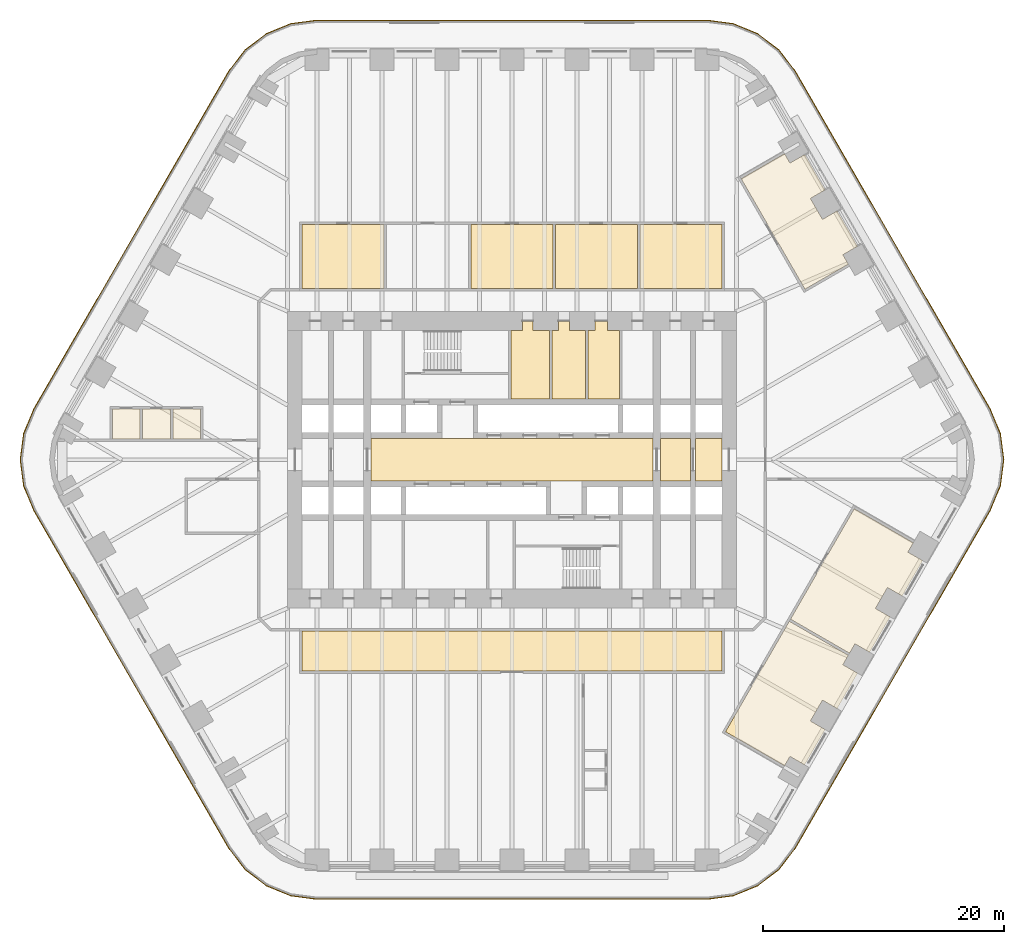
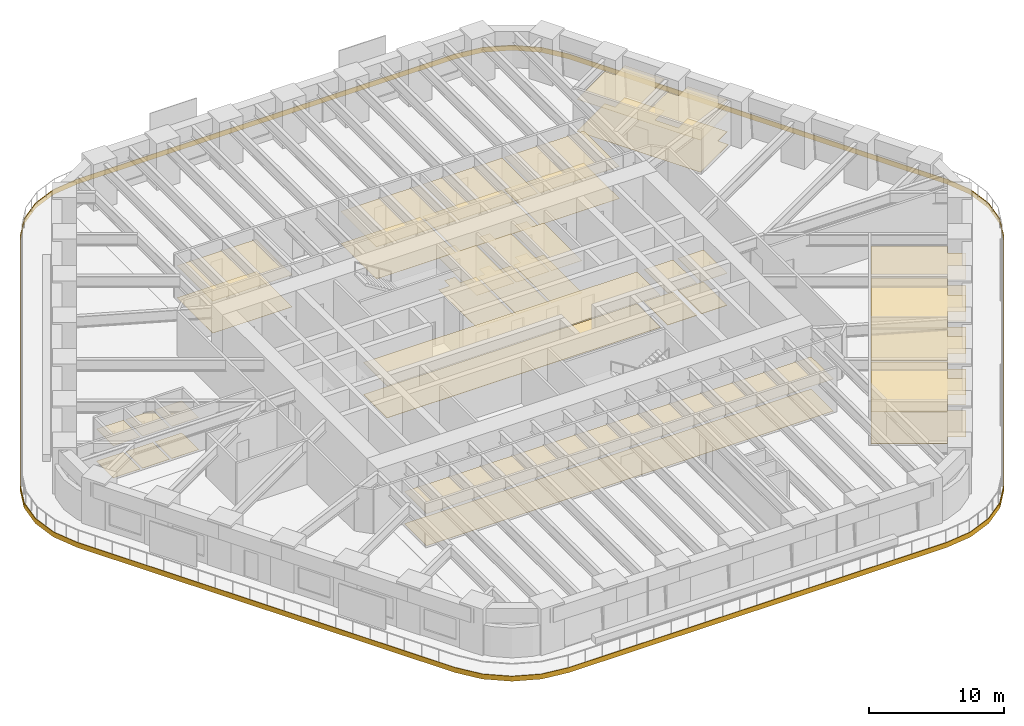
# One storey, part 22 of 23: 15 coverings.
"""IFC4 building model written with IfcOpenShell, lengths in metres."""

import ifcopenshell
import ifcopenshell.guid

model = None  # the IFC model being written
_history = None  # IfcOwnerHistory: only IFC2X3 demands one
_inside = {}  # id of a spatial element -> (the spatial element, [elements in it])
_under = {}  # id of a project, library or spatial element -> (it, [spatial elements below it])
_declared = {}  # id of a project -> (the project, [libraries it declares])
_typed = {}  # id of a type object -> (the type object, [elements of that type])
_made_of = {}  # id of a material, layer set ... -> (it, [elements and type objects made of it])


def new_model(schema):
    """Start an empty IFC model of exactly this schema.

    Asked for "IFC4X3", IfcOpenShell would pick the latest addendum, in which some entities
    have other attributes; the version numbers below select the first issue.
    IFC2X3 requires an IfcOwnerHistory on every rooted entity: one is made here for all.
    """
    global model, _history
    if schema == "IFC4X3":
        model = ifcopenshell.file(schema_version=(4, 3, 0, 0))
    else:
        model = ifcopenshell.file(schema=schema)
    _inside.clear()
    _under.clear()
    _declared.clear()
    _typed.clear()
    _made_of.clear()
    _history = None
    if model.schema == "IFC2X3":
        org = make("IfcOrganization", Name="unknown")
        user = make(
            "IfcPersonAndOrganization",
            ThePerson=make("IfcPerson", FamilyName="unknown"),
            TheOrganization=org,
        )
        app = make(
            "IfcApplication",
            ApplicationDeveloper=org,
            Version="unknown",
            ApplicationFullName="unknown",
            ApplicationIdentifier="unknown",
        )
        _history = make(
            "IfcOwnerHistory",
            OwningUser=user,
            OwningApplication=app,
            ChangeAction="ADDED",
            CreationDate=0,
        )
    return model


def make(cls, **values):
    """One entity of the class cls with the attributes given. An attribute that is None is left unset."""
    return model.create_entity(
        cls, **{name: value for name, value in values.items() if value is not None}
    )


def rooted(cls, **values):
    """An entity with a GlobalId (a new one), such as an element, a storey or a relation."""
    return make(cls, GlobalId=ifcopenshell.guid.new(), OwnerHistory=_history, **values)


def si_unit(unit_type, name, prefix=None):
    """IfcSIUnit, for example si_unit("LENGTHUNIT", "METRE", prefix="MILLI")."""
    return make("IfcSIUnit", UnitType=unit_type, Prefix=prefix, Name=name)


def assignment(units):
    """IfcUnitAssignment: the units of a project."""
    return None if units is None else make("IfcUnitAssignment", Units=units)


def point(xyz):
    """IfcCartesianPoint."""
    return None if xyz is None else make("IfcCartesianPoint", Coordinates=xyz)


def direction(xyz):
    """IfcDirection."""
    return None if xyz is None else make("IfcDirection", DirectionRatios=xyz)


def frame(location, z_axis=None, x_axis=None):
    """IfcAxis2Placement3D, a coordinate frame: its origin and axes. An axis left out is left unset."""
    return make(
        "IfcAxis2Placement3D",
        Location=point(location),
        Axis=direction(z_axis),
        RefDirection=direction(x_axis),
    )


def origin():
    """The frame at (0, 0, 0) with its axes left unset."""
    return frame((0.0, 0.0, 0.0))


def place(relative_to, where):
    """IfcLocalPlacement: puts the frame where relative to a parent placement (None: the world)."""
    return make(
        "IfcLocalPlacement", PlacementRelTo=relative_to, RelativePlacement=where
    )


def context(
    kind, dimensions, precision=None, world=None, true_north=None, identifier=None
):
    """IfcGeometricRepresentationContext, for example the 3D "Model" context."""
    return make(
        "IfcGeometricRepresentationContext",
        ContextIdentifier=identifier,
        ContextType=kind,
        CoordinateSpaceDimension=dimensions,
        Precision=precision,
        WorldCoordinateSystem=world,
        TrueNorth=true_north,
    )


def subcontext(parent, identifier, kind, view, scale=None):
    """IfcGeometricRepresentationSubContext, for example "Body" below "Model"."""
    return make(
        "IfcGeometricRepresentationSubContext",
        ContextIdentifier=identifier,
        ContextType=kind,
        ParentContext=parent,
        TargetScale=scale,
        TargetView=view,
    )


def project(units=None, contexts=None):
    """IfcProject with its units and contexts."""
    return rooted(
        "IfcProject",
        Name="project",
        RepresentationContexts=contexts,
        UnitsInContext=assignment(units),
    )


def spatial(cls, under=None, at=None, **own):
    """A site, building, storey or space (cls), placed at a placement, below another one or the project."""
    s = rooted(cls, ObjectPlacement=at, **own)
    if under is not None:
        _under.setdefault(under.id(), (under, []))[1].append(s)
    return s


def polyline(points):
    """IfcPolyline through the points."""
    return make("IfcPolyline", Points=[point(p) for p in points])


def outline(outer, holes=None, kind="AREA"):
    """IfcArbitraryClosedProfileDef: a profile drawn as a closed curve; with holes, ...WithVoids."""
    if holes is None:
        return make("IfcArbitraryClosedProfileDef", ProfileType=kind, OuterCurve=outer)
    return make(
        "IfcArbitraryProfileDefWithVoids",
        ProfileType=kind,
        OuterCurve=outer,
        InnerCurves=holes,
    )


def extrude(swept, where, along, depth):
    """IfcExtrudedAreaSolid: the profile swept, set in the frame where, extruded along a direction by depth."""
    return make(
        "IfcExtrudedAreaSolid",
        SweptArea=swept,
        Position=where,
        ExtrudedDirection=direction(along),
        Depth=depth,
    )


def shape(context_of_items, identifier, shape_type, items):
    """IfcShapeRepresentation: the items that make up one representation, for example the "Body"."""
    return make(
        "IfcShapeRepresentation",
        ContextOfItems=context_of_items,
        RepresentationIdentifier=identifier,
        RepresentationType=shape_type,
        Items=items,
    )


def material(Name=None, Category=None):
    """IfcMaterial."""
    return make("IfcMaterial", Name=Name, Category=Category)


def layer(
    of_material, thickness, ventilated=None, Name=None, Category=None, Priority=None
):
    """IfcMaterialLayer: one layer of a wall or slab, of a material (None: an air gap)."""
    return make(
        "IfcMaterialLayer",
        Material=of_material,
        LayerThickness=thickness,
        IsVentilated=ventilated,
        Name=Name,
        Category=Category,
        Priority=Priority,
    )


def layer_set(layers, Name=None):
    """IfcMaterialLayerSet."""
    return make("IfcMaterialLayerSet", MaterialLayers=layers, LayerSetName=Name)


def made_of(thing, what):
    """Note that an element or type object is made of a material, layer set ...; save() writes the relation."""
    if what is not None:
        _made_of.setdefault(what.id(), (what, []))[1].append(thing)
    return thing


def type_object(cls, material=None, **own):
    """A type object (cls), such as IfcWallType, which elements share."""
    return made_of(rooted(cls, **own), material)


def element(
    cls,
    number,
    at=None,
    inside=None,
    cuts=None,
    type_object=None,
    material=None,
    context=None,
    identifier="Body",
    shape_type=None,
    held_by="IfcProductDefinitionShape",
    body=None,
    shapes=None,
    **own,
):
    """One element of the class cls, such as IfcWall. Its Tag is "e" and its number.

    at: its placement. inside: the storey or other place that contains it. cuts: it is an
    opening in that element (IfcRelVoidsElement). A single representation is given by context,
    identifier, shape_type and body (its items); several are given by shapes. held_by: the class
    of the entity that holds the representations. save() writes the other relations.
    """
    e = rooted(cls, Tag="e%d" % number, ObjectPlacement=at, **own)
    if body is not None:
        shapes = [shape(context, identifier, shape_type, body)]
    if shapes is not None:
        e.Representation = make(held_by, Representations=shapes)
    if inside is not None:
        _inside.setdefault(inside.id(), (inside, []))[1].append(e)
    if cuts is not None:
        rooted(
            "IfcRelVoidsElement", RelatingBuildingElement=cuts, RelatedOpeningElement=e
        )
    if type_object is not None:
        _typed.setdefault(type_object.id(), (type_object, []))[1].append(e)
    return made_of(e, material)


def aggregate(whole, parts):
    """IfcRelAggregates: a whole, such as a stair, and the parts it consists of."""
    return rooted("IfcRelAggregates", RelatingObject=whole, RelatedObjects=parts)


def save(model, path):
    """Write the relations noted so far, then the file.

    IfcRelAggregates (storeys below a building ...), IfcRelContainedInSpatialStructure (elements
    in a storey), IfcRelDefinesByType, IfcRelAssociatesMaterial and IfcRelDeclares: one each for
    every whole, place, type object, material and project.
    """
    for whole, parts in _under.values():
        aggregate(whole, parts)
    for where, things in _inside.values():
        rooted(
            "IfcRelContainedInSpatialStructure",
            RelatedElements=things,
            RelatingStructure=where,
        )
    for kind, things in _typed.values():
        rooted("IfcRelDefinesByType", RelatedObjects=things, RelatingType=kind)
    for what, things in _made_of.values():
        rooted("IfcRelAssociatesMaterial", RelatedObjects=things, RelatingMaterial=what)
    for by, libraries in _declared.values():
        rooted("IfcRelDeclares", RelatingContext=by, RelatedDefinitions=libraries)
    model.write(path)


model = new_model("IFC4")

# Units and contexts
model_context = context("Model", 3, precision=1e-05, world=origin(), true_north=direction((0.0, 1.0)))
body_context = subcontext(model_context, "Body", "Model", "MODEL_VIEW")
ifc_project = project(units=[si_unit("LENGTHUNIT", "METRE"), si_unit("AREAUNIT", "SQUARE_METRE"), si_unit("VOLUMEUNIT", "CUBIC_METRE"), si_unit("PLANEANGLEUNIT", "RADIAN"), si_unit("MASSUNIT", "GRAM", prefix="KILO")], contexts=[model_context])

# Site, building, storey
site_placement = place(None, origin())
site = spatial("IfcSite", under=ifc_project, at=site_placement, CompositionType="ELEMENT")
building_placement = place(site_placement, origin())
building = spatial("IfcBuilding", under=site, at=building_placement, Name="Tarfa Lantern Tower", CompositionType="ELEMENT")
storey_placement = place(building_placement, frame((0.0, 0.0, 57.10009765625)))
storey = spatial("IfcBuildingStorey", under=building, at=storey_placement, Name="L12", CompositionType="ELEMENT", Elevation=57.10009765625)

# Coverings
ifc_material_1 = material(Name="Mineral fibre acoustic tile on suspension grid", Category="finish")
ifc_layer_1 = layer(ifc_material_1, 0.02001953125)
ifc_layer_set_1 = layer_set([ifc_layer_1], Name="CL1 ACOUSTIC TILE CEILING 20")
covering_type_1 = type_object("IfcCoveringType", Name="CL1 ACOUSTIC TILE CEILING 20", PredefinedType="CEILING", material=ifc_layer_set_1)
covering_1_placement = place(storey_placement, frame((0.0, 0.0, 2.89990234375)))
element("IfcCovering", 1, at=covering_1_placement, inside=storey, type_object=covering_type_1, Name="Ceiling L12 CL1", PredefinedType="CEILING", context=body_context, shape_type="SweptSolid", body=[
    extrude(outline(polyline([(-17.39990234375, 19.5), (-10.60009765625, 19.5), (-10.60009765625, 14.199951171875), (-17.39990234375, 14.199951171875), (-17.39990234375, 19.5)])), origin(), (0.0, 0.0, 1.0), 0.02001953125),
    extrude(outline(polyline([(-3.39990234375, 19.5), (3.39990234375, 19.5), (3.39990234375, 14.199951171875), (-3.39990234375, 14.199951171875), (-3.39990234375, 19.5)])), origin(), (0.0, 0.0, 1.0), 0.02001953125),
    extrude(outline(polyline([(3.60009765625, 19.5), (10.39990234375, 19.5), (10.39990234375, 14.199951171875), (3.60009765625, 14.199951171875), (3.60009765625, 19.5)])), origin(), (0.0, 0.0, 1.0), 0.02001953125),
    extrude(outline(polyline([(10.60009765625, 19.5), (17.39990234375, 19.5), (17.39990234375, 14.199951171875), (10.60009765625, 14.199951171875), (10.60009765625, 19.5)])), origin(), (0.0, 0.0, 1.0), 0.02001953125),
    extrude(outline(polyline([(18.996826171875, 23.296630859375), (22.5908203125, 25.371826171875), (23.040771484375, 24.59228515625), (24.253173828125, 25.292236328125), (25.947509765625, 22.357666015625), (24.735107421875, 21.65771484375), (25.735107421875, 19.925537109375), (26.947509765625, 20.625732421875), (28.641845703125, 17.69091796875), (27.42919921875, 16.990966796875), (27.87939453125, 16.211669921875), (24.285400390625, 14.13671875), (18.996826171875, 23.296630859375)])), origin(), (0.0, 0.0, 1.0), 0.02001953125),
    extrude(outline(polyline([(22.986328125, -13.38671875), (27.87939453125, -16.211669921875), (27.42919921875, -16.990966796875), (28.641845703125, -17.69091796875), (26.947509765625, -20.625732421875), (25.735107421875, -19.925537109375), (24.735107421875, -21.65771484375), (25.947509765625, -22.357666015625), (24.253173828125, -25.292236328125), (23.040771484375, -24.59228515625), (22.5908203125, -25.371826171875), (17.69775390625, -22.546630859375), (22.986328125, -13.38671875)])), origin(), (0.0, 0.0, 1.0), 0.02001953125),
    extrude(outline(polyline([(28.375, -4.05322265625), (33.267822265625, -6.878173828125), (32.81787109375, -7.65771484375), (34.0302734375, -8.357666015625), (32.3359375, -11.292236328125), (31.12353515625, -10.59228515625), (30.12353515625, -12.324462890625), (31.3359375, -13.0244140625), (29.641845703125, -15.958984375), (28.42919921875, -15.259033203125), (27.979248046875, -16.038330078125), (23.086181640625, -13.21337890625), (28.375, -4.05322265625)])), origin(), (0.0, 0.0, 1.0), 0.02001953125),
    extrude(outline(polyline([(-28.118408203125, 4.199951171875), (-25.818359375, 4.199951171875), (-25.818359375, 1.699951171875), (-28.118408203125, 1.699951171875), (-28.118408203125, 4.199951171875)])), origin(), (0.0, 0.0, 1.0), 0.02001953125),
    extrude(outline(polyline([(-30.618408203125, 4.199951171875), (-28.318359375, 4.199951171875), (-28.318359375, 1.699951171875), (-30.618408203125, 1.699951171875), (-30.618408203125, 4.199951171875)])), origin(), (0.0, 0.0, 1.0), 0.02001953125),
    extrude(outline(polyline([(-33.118408203125, 4.199951171875), (-30.818359375, 4.199951171875), (-30.818359375, 1.699951171875), (-33.118408203125, 1.699951171875), (-33.118408203125, 4.199951171875)])), origin(), (0.0, 0.0, 1.0), 0.02001953125),
    extrude(outline(polyline([(-17.39990234375, -14.199951171875), (17.39990234375, -14.199951171875), (17.39990234375, -17.5), (-17.39990234375, -17.5), (-17.39990234375, -14.199951171875)])), origin(), (0.0, 0.0, 1.0), 0.02001953125),
])
ifc_material_2 = material(Name="Moisture-resistant plasterboard", Category="finish")
ifc_layer_2 = layer(ifc_material_2, 0.014892578125)
ifc_layer_set_2 = layer_set([ifc_layer_2], Name="CL2 MOISTURE-RESISTANT PLASTERBOARD CEILING 15")
covering_type_2 = type_object("IfcCoveringType", Name="CL2 MOISTURE-RESISTANT PLASTERBOARD CEILING 15", PredefinedType="CEILING", material=ifc_layer_set_2)
covering_2_placement = place(storey_placement, frame((0.0, 0.0, 2.89990234375)))
element("IfcCovering", 2, at=covering_2_placement, inside=storey, type_object=covering_type_2, Name="Ceiling L12-09", PredefinedType="CEILING", context=body_context, shape_type="SweptSolid", body=[
    extrude(outline(polyline([(0.85009765625, 10.699951171875), (-0.10009765625, 10.699951171875), (-0.10009765625, 5.050048828125), (3.10009765625, 5.050048828125), (3.10009765625, 10.699951171875), (1.75, 10.699951171875), (1.75, 11.5), (0.85009765625, 11.5), (0.85009765625, 10.699951171875)])), origin(), (0.0, 0.0, 1.0), 0.014892578125),
])
covering_3_placement = place(storey_placement, frame((0.0, 0.0, 2.89990234375)))
element("IfcCovering", 3, at=covering_3_placement, inside=storey, type_object=covering_type_2, Name="Ceiling L12-10", PredefinedType="CEILING", context=body_context, shape_type="SweptSolid", body=[
    extrude(outline(polyline([(3.300048828125, 5.050048828125), (6.10009765625, 5.050048828125), (6.10009765625, 10.699951171875), (4.75, 10.699951171875), (4.75, 11.5), (3.85009765625, 11.5), (3.85009765625, 10.699951171875), (3.300048828125, 10.699951171875), (3.300048828125, 5.050048828125)])), origin(), (0.0, 0.0, 1.0), 0.014892578125),
])
covering_4_placement = place(storey_placement, frame((0.0, 0.0, 2.89990234375)))
element("IfcCovering", 4, at=covering_4_placement, inside=storey, type_object=covering_type_2, Name="Ceiling L12-11", PredefinedType="CEILING", context=body_context, shape_type="SweptSolid", body=[
    extrude(outline(polyline([(6.300048828125, 5.050048828125), (8.89990234375, 5.050048828125), (8.89990234375, 10.699951171875), (7.89990234375, 10.699951171875), (7.89990234375, 11.5), (6.89990234375, 11.5), (6.89990234375, 10.699951171875), (6.300048828125, 10.699951171875), (6.300048828125, 5.050048828125)])), origin(), (0.0, 0.0, 1.0), 0.014892578125),
])
ifc_material_3 = material(Name="Powder-coated aluminium panel", Category="aluminium")
ifc_layer_3 = layer(ifc_material_3, 0.030029296875)
ifc_layer_set_3 = layer_set([ifc_layer_3], Name="CL3 METAL PANEL CEILING 30")
covering_type_3 = type_object("IfcCoveringType", Name="CL3 METAL PANEL CEILING 30", PredefinedType="CEILING", material=ifc_layer_set_3)
covering_5_placement = place(storey_placement, frame((0.0, 0.0, 2.89990234375)))
element("IfcCovering", 5, at=covering_5_placement, inside=storey, type_object=covering_type_3, Name="Ceiling L12-03", PredefinedType="CEILING", context=body_context, shape_type="SweptSolid", body=[
    extrude(outline(polyline([(-11.699951171875, -1.75), (11.699951171875, -1.75), (11.699951171875, 1.75), (-11.699951171875, 1.75), (-11.699951171875, -1.75)])), origin(), (0.0, 0.0, 1.0), 0.030029296875),
])
covering_6_placement = place(storey_placement, frame((0.0, 0.0, 2.89990234375)))
element("IfcCovering", 6, at=covering_6_placement, inside=storey, type_object=covering_type_3, Name="Ceiling L12-04", PredefinedType="CEILING", context=body_context, shape_type="SweptSolid", body=[
    extrude(outline(polyline([(12.300048828125, -1.75), (14.800048828125, -1.75), (14.800048828125, 1.75), (12.300048828125, 1.75), (12.300048828125, -1.75)])), origin(), (0.0, 0.0, 1.0), 0.030029296875),
])
covering_7_placement = place(storey_placement, frame((0.0, 0.0, 2.89990234375)))
element("IfcCovering", 7, at=covering_7_placement, inside=storey, type_object=covering_type_3, Name="Ceiling L12-05", PredefinedType="CEILING", context=body_context, shape_type="SweptSolid", body=[
    extrude(outline(polyline([(15.199951171875, -1.75), (17.39990234375, -1.75), (17.39990234375, 1.75), (15.199951171875, 1.75), (15.199951171875, -1.75)])), origin(), (0.0, 0.0, 1.0), 0.030029296875),
])
ifc_material_4 = material(Name="Nylon carpet tile", Category="finish")
ifc_layer_4 = layer(ifc_material_4, 0.010009765625)
ifc_layer_set_4 = layer_set([ifc_layer_4], Name="FL1 CARPET TILE 10")
covering_type_4 = type_object("IfcCoveringType", Name="FL1 CARPET TILE 10", PredefinedType="FLOORING", material=ifc_layer_set_4)
covering_8_placement = place(storey_placement, origin())
element("IfcCovering", 8, at=covering_8_placement, inside=storey, type_object=covering_type_4, Name="Floor finish L12 FL1", PredefinedType="FLOORING", context=body_context, shape_type="SweptSolid", body=[
    extrude(outline(polyline([(-17.39990234375, 19.5), (-10.60009765625, 19.5), (-10.60009765625, 14.199951171875), (-17.39990234375, 14.199951171875), (-17.39990234375, 19.5)])), origin(), (0.0, 0.0, 1.0), 0.010009765625),
    extrude(outline(polyline([(-3.39990234375, 19.5), (3.39990234375, 19.5), (3.39990234375, 14.199951171875), (-3.39990234375, 14.199951171875), (-3.39990234375, 19.5)])), origin(), (0.0, 0.0, 1.0), 0.010009765625),
    extrude(outline(polyline([(3.60009765625, 19.5), (10.39990234375, 19.5), (10.39990234375, 14.199951171875), (3.60009765625, 14.199951171875), (3.60009765625, 19.5)])), origin(), (0.0, 0.0, 1.0), 0.010009765625),
    extrude(outline(polyline([(10.60009765625, 19.5), (17.39990234375, 19.5), (17.39990234375, 14.199951171875), (10.60009765625, 14.199951171875), (10.60009765625, 19.5)])), origin(), (0.0, 0.0, 1.0), 0.010009765625),
    extrude(outline(polyline([(18.996826171875, 23.296630859375), (22.5908203125, 25.371826171875), (23.040771484375, 24.59228515625), (24.253173828125, 25.292236328125), (25.947509765625, 22.357666015625), (24.735107421875, 21.65771484375), (25.735107421875, 19.925537109375), (26.947509765625, 20.625732421875), (28.641845703125, 17.69091796875), (27.42919921875, 16.990966796875), (27.87939453125, 16.211669921875), (24.285400390625, 14.13671875), (18.996826171875, 23.296630859375)])), origin(), (0.0, 0.0, 1.0), 0.010009765625),
    extrude(outline(polyline([(22.986328125, -13.38671875), (27.87939453125, -16.211669921875), (27.42919921875, -16.990966796875), (28.641845703125, -17.69091796875), (26.947509765625, -20.625732421875), (25.735107421875, -19.925537109375), (24.735107421875, -21.65771484375), (25.947509765625, -22.357666015625), (24.253173828125, -25.292236328125), (23.040771484375, -24.59228515625), (22.5908203125, -25.371826171875), (17.69775390625, -22.546630859375), (22.986328125, -13.38671875)])), origin(), (0.0, 0.0, 1.0), 0.010009765625),
    extrude(outline(polyline([(28.375, -4.05322265625), (33.267822265625, -6.878173828125), (32.81787109375, -7.65771484375), (34.0302734375, -8.357666015625), (32.3359375, -11.292236328125), (31.12353515625, -10.59228515625), (30.12353515625, -12.324462890625), (31.3359375, -13.0244140625), (29.641845703125, -15.958984375), (28.42919921875, -15.259033203125), (27.979248046875, -16.038330078125), (23.086181640625, -13.21337890625), (28.375, -4.05322265625)])), origin(), (0.0, 0.0, 1.0), 0.010009765625),
    extrude(outline(polyline([(-28.118408203125, 4.199951171875), (-25.818359375, 4.199951171875), (-25.818359375, 1.699951171875), (-28.118408203125, 1.699951171875), (-28.118408203125, 4.199951171875)])), origin(), (0.0, 0.0, 1.0), 0.010009765625),
    extrude(outline(polyline([(-30.618408203125, 4.199951171875), (-28.318359375, 4.199951171875), (-28.318359375, 1.699951171875), (-30.618408203125, 1.699951171875), (-30.618408203125, 4.199951171875)])), origin(), (0.0, 0.0, 1.0), 0.010009765625),
    extrude(outline(polyline([(-33.118408203125, 4.199951171875), (-30.818359375, 4.199951171875), (-30.818359375, 1.699951171875), (-33.118408203125, 1.699951171875), (-33.118408203125, 4.199951171875)])), origin(), (0.0, 0.0, 1.0), 0.010009765625),
    extrude(outline(polyline([(-17.39990234375, -14.199951171875), (17.39990234375, -14.199951171875), (17.39990234375, -17.5), (-17.39990234375, -17.5), (-17.39990234375, -14.199951171875)])), origin(), (0.0, 0.0, 1.0), 0.010009765625),
])
ifc_material_5 = material(Name="Honed limestone flooring", Category="masonry")
ifc_layer_5 = layer(ifc_material_5, 0.030029296875)
ifc_layer_set_5 = layer_set([ifc_layer_5], Name="FL2 STONE FLOORING 30")
covering_type_5 = type_object("IfcCoveringType", Name="FL2 STONE FLOORING 30", PredefinedType="FLOORING", material=ifc_layer_set_5)
covering_9_placement = place(storey_placement, origin())
element("IfcCovering", 9, at=covering_9_placement, inside=storey, type_object=covering_type_5, Name="Floor finish L12-03", PredefinedType="FLOORING", context=body_context, shape_type="SweptSolid", body=[
    extrude(outline(polyline([(-11.699951171875, -1.75), (11.699951171875, -1.75), (11.699951171875, 1.75), (-11.699951171875, 1.75), (-11.699951171875, -1.75)])), origin(), (0.0, 0.0, 1.0), 0.02978515625),
])
covering_10_placement = place(storey_placement, origin())
element("IfcCovering", 10, at=covering_10_placement, inside=storey, type_object=covering_type_5, Name="Floor finish L12-04", PredefinedType="FLOORING", context=body_context, shape_type="SweptSolid", body=[
    extrude(outline(polyline([(12.300048828125, -1.75), (14.800048828125, -1.75), (14.800048828125, 1.75), (12.300048828125, 1.75), (12.300048828125, -1.75)])), origin(), (0.0, 0.0, 1.0), 0.02978515625),
])
covering_11_placement = place(storey_placement, origin())
element("IfcCovering", 11, at=covering_11_placement, inside=storey, type_object=covering_type_5, Name="Floor finish L12-05", PredefinedType="FLOORING", context=body_context, shape_type="SweptSolid", body=[
    extrude(outline(polyline([(15.199951171875, -1.75), (17.39990234375, -1.75), (17.39990234375, 1.75), (15.199951171875, 1.75), (15.199951171875, -1.75)])), origin(), (0.0, 0.0, 1.0), 0.02978515625),
])
ifc_material_6 = material(Name="Porcelain floor tile", Category="finish")
ifc_layer_6 = layer(ifc_material_6, 0.011962890625)
ifc_layer_set_6 = layer_set([ifc_layer_6], Name="FL3 CERAMIC TILE 12")
covering_type_6 = type_object("IfcCoveringType", Name="FL3 CERAMIC TILE 12", PredefinedType="FLOORING", material=ifc_layer_set_6)
covering_12_placement = place(storey_placement, origin())
element("IfcCovering", 12, at=covering_12_placement, inside=storey, type_object=covering_type_6, Name="Floor finish L12-09", PredefinedType="FLOORING", context=body_context, shape_type="SweptSolid", body=[
    extrude(outline(polyline([(0.85009765625, 10.699951171875), (-0.10009765625, 10.699951171875), (-0.10009765625, 5.050048828125), (3.10009765625, 5.050048828125), (3.10009765625, 10.699951171875), (1.75, 10.699951171875), (1.75, 11.5), (0.85009765625, 11.5), (0.85009765625, 10.699951171875)])), origin(), (0.0, 0.0, 1.0), 0.011962890625),
])
covering_13_placement = place(storey_placement, origin())
element("IfcCovering", 13, at=covering_13_placement, inside=storey, type_object=covering_type_6, Name="Floor finish L12-10", PredefinedType="FLOORING", context=body_context, shape_type="SweptSolid", body=[
    extrude(outline(polyline([(3.300048828125, 5.050048828125), (6.10009765625, 5.050048828125), (6.10009765625, 10.699951171875), (4.75, 10.699951171875), (4.75, 11.5), (3.85009765625, 11.5), (3.85009765625, 10.699951171875), (3.300048828125, 10.699951171875), (3.300048828125, 5.050048828125)])), origin(), (0.0, 0.0, 1.0), 0.011962890625),
])
covering_14_placement = place(storey_placement, origin())
element("IfcCovering", 14, at=covering_14_placement, inside=storey, type_object=covering_type_6, Name="Floor finish L12-11", PredefinedType="FLOORING", context=body_context, shape_type="SweptSolid", body=[
    extrude(outline(polyline([(6.300048828125, 5.050048828125), (8.89990234375, 5.050048828125), (8.89990234375, 10.699951171875), (7.89990234375, 10.699951171875), (7.89990234375, 11.5), (6.89990234375, 11.5), (6.89990234375, 10.699951171875), (6.300048828125, 10.699951171875), (6.300048828125, 5.050048828125)])), origin(), (0.0, 0.0, 1.0), 0.011962890625),
])
ifc_material_7 = material(Name="Limestone cladding on brackets", Category="masonry")
ifc_layer_7 = layer(ifc_material_7, 0.050048828125)
ifc_layer_set_7 = layer_set([ifc_layer_7], Name="SB1 STONE BAND CLADDING 50")
covering_type_7 = type_object("IfcCoveringType", Name="SB1 STONE BAND CLADDING 50", PredefinedType="CLADDING", material=ifc_layer_set_7)
covering_15_placement = place(storey_placement, frame((0.0, 0.0, -0.400146484375)))
element("IfcCovering", 15, at=covering_15_placement, inside=storey, type_object=covering_type_7, Name="Stone band", PredefinedType="CLADDING", context=body_context, shape_type="SweptSolid", body=[
    extrude(outline(polyline([(39.6494140625, 4.22509765625), (23.483642578125, 32.22509765625), (22.140869140625, 33.97509765625), (20.390869140625, 35.31787109375), (18.352783203125, 36.162109375), (16.165771484375, 36.449951171875), (-16.165771484375, 36.449951171875), (-18.352783203125, 36.162109375), (-20.390869140625, 35.31787109375), (-22.140869140625, 33.97509765625), (-23.483642578125, 32.22509765625), (-39.6494140625, 4.22509765625), (-40.49365234375, 2.18701171875), (-40.781494140625, 0.0), (-40.49365234375, -2.18701171875), (-39.6494140625, -4.22509765625), (-23.483642578125, -32.22509765625), (-22.140869140625, -33.97509765625), (-20.390869140625, -35.31787109375), (-18.352783203125, -36.162109375), (-16.165771484375, -36.449951171875), (16.165771484375, -36.449951171875), (18.352783203125, -36.162109375), (20.390869140625, -35.31787109375), (22.140869140625, -33.97509765625), (23.483642578125, -32.22509765625), (39.6494140625, -4.22509765625), (40.49365234375, -2.18701171875), (40.781494140625, 0.0), (40.49365234375, 2.18701171875), (39.6494140625, 4.22509765625)]), holes=[polyline([(39.606201171875, 4.199951171875), (23.4404296875, 32.199951171875), (22.10546875, 33.939697265625), (20.36572265625, 35.274658203125), (18.33984375, 36.11376953125), (16.165771484375, 36.39990234375), (-16.165771484375, 36.39990234375), (-18.33984375, 36.11376953125), (-20.36572265625, 35.274658203125), (-22.10546875, 33.939697265625), (-23.4404296875, 32.199951171875), (-39.606201171875, 4.199951171875), (-40.4453125, 2.174072265625), (-40.731689453125, 0.0), (-40.4453125, -2.174072265625), (-39.606201171875, -4.199951171875), (-23.4404296875, -32.199951171875), (-22.10546875, -33.939697265625), (-20.36572265625, -35.274658203125), (-18.33984375, -36.11376953125), (-16.165771484375, -36.39990234375), (16.165771484375, -36.39990234375), (18.33984375, -36.11376953125), (20.36572265625, -35.274658203125), (22.10546875, -33.939697265625), (23.4404296875, -32.199951171875), (39.606201171875, -4.199951171875), (40.4453125, -2.174072265625), (40.731689453125, 0.0), (40.4453125, 2.174072265625), (39.606201171875, 4.199951171875)])]), origin(), (0.0, 0.0, 1.0), 0.449951171875),
])

save(model, "model.ifc")
